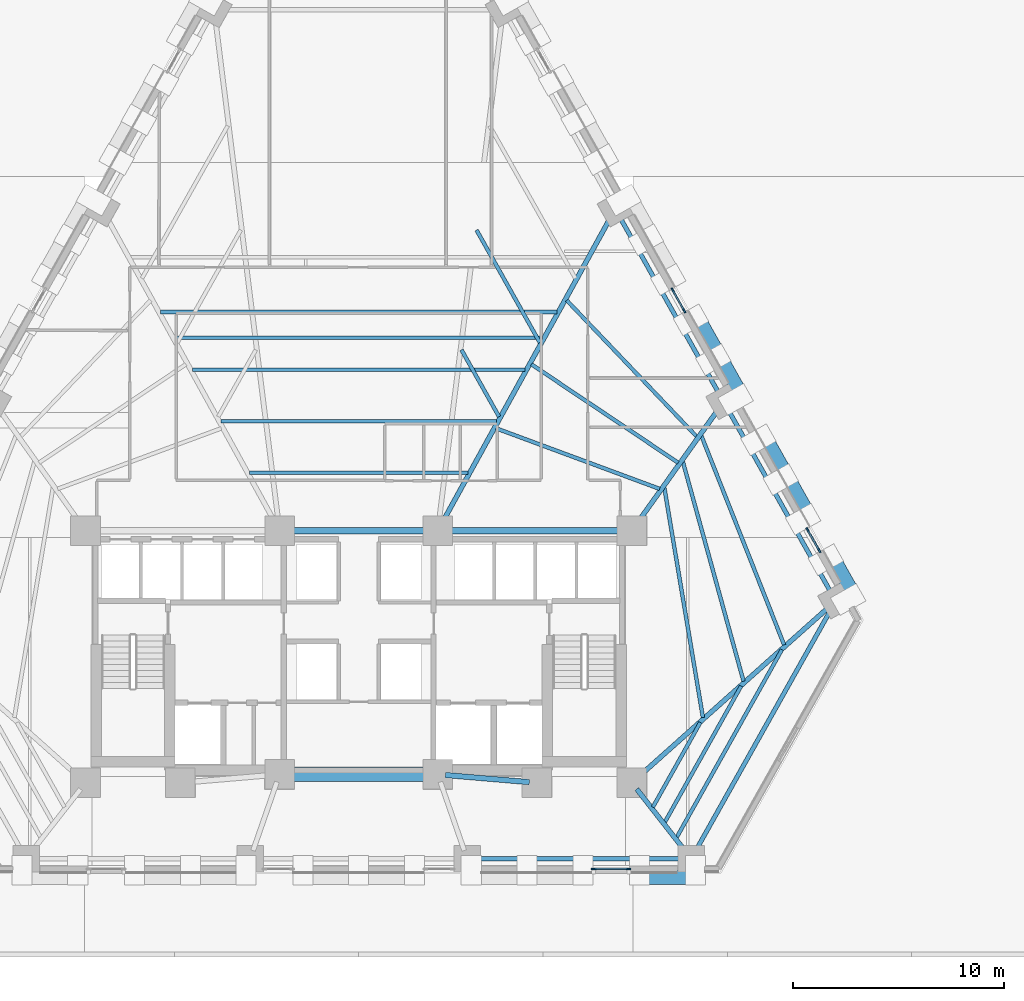
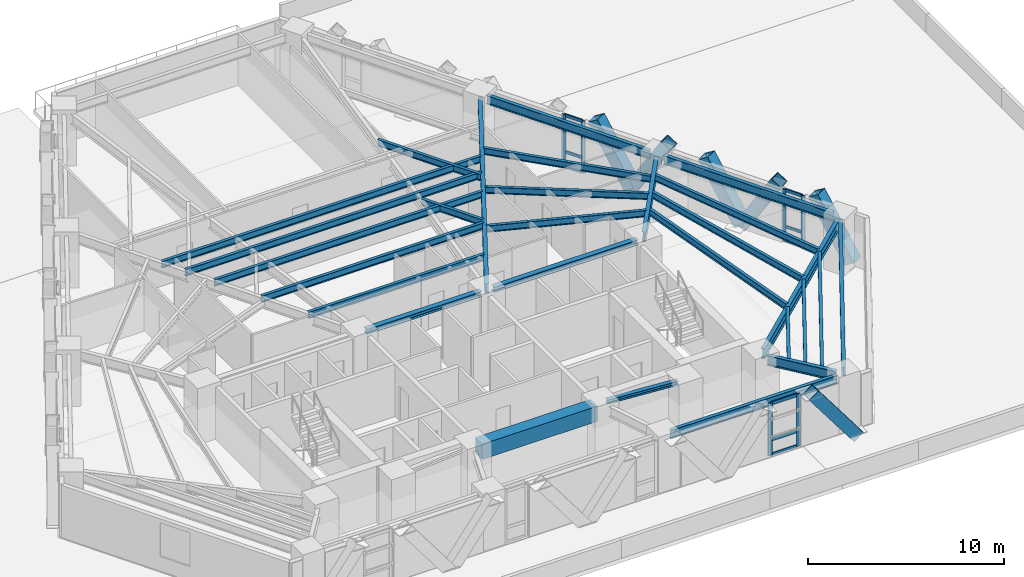
# One storey, part 3 of 14: 28 beams, 21 members, 3 elements without a shape of their own.
"""IFC4 building model written with IfcOpenShell, lengths in metres."""

from ifc_helpers import new_model, si_unit, direction, frame, origin, origin_2d, place, context, subcontext, project, spatial, rectangle, hollow_rectangle, i_section, extrude, material, material_profile, profile_set, type_object, element, aggregate, save


model = new_model("IFC4")

# Units and contexts
model_context = context("Model", 3, precision=1e-05, world=origin(), true_north=direction((0.0, 1.0)))
body_context = subcontext(model_context, "Body", "Model", "MODEL_VIEW")
ifc_project = project(units=[si_unit("LENGTHUNIT", "METRE"), si_unit("AREAUNIT", "SQUARE_METRE"), si_unit("VOLUMEUNIT", "CUBIC_METRE"), si_unit("PLANEANGLEUNIT", "RADIAN"), si_unit("MASSUNIT", "GRAM", prefix="KILO")], contexts=[model_context])

# Site, building, storey
site_placement = place(None, origin())
site = spatial("IfcSite", under=ifc_project, at=site_placement, CompositionType="ELEMENT")
building_placement = place(site_placement, origin())
building = spatial("IfcBuilding", under=site, at=building_placement, Name="Quenlor Broadcast Tower", CompositionType="ELEMENT")
storey_placement = place(building_placement, frame((0.0, 0.0, 27.60009765625)))
storey = spatial("IfcBuildingStorey", under=building, at=storey_placement, Name="L06", CompositionType="ELEMENT", Elevation=27.60009765625)

# Curtain wall, members
ifc_material_1 = material(Name="Architectural Terracotta and Low-E Glazing", Category="masonry")
curtain_wall_type = type_object("IfcCurtainWallType", Name="Unitised Terracotta Curtain Wall System Z1", PredefinedType="NOTDEFINED", material=ifc_material_1)
curtain_wall_1_placement = place(storey_placement, origin())
curtain_wall_1 = element("IfcCurtainWall", 1, at=curtain_wall_1_placement, inside=storey, type_object=curtain_wall_type, Name="L06 Curtain Wall CW1 (L06-SA-G1)", PredefinedType="NOTDEFINED")
ifc_material_2 = material(Name="Aluminium 6063-T6", Category="aluminium")
ifc_material_profile_1 = material_profile(ifc_material_2, rectangle(XDim=0.080078125, YDim=0.219970703125, at=origin_2d()))
ifc_profile_set_1 = profile_set([ifc_material_profile_1], Name="Aluminium 6063-T6 MULL80x220")
member_type_1 = type_object("IfcMemberType", Name="CW1 Aluminium Mullion MULL_CW1", PredefinedType="MULLION", material=ifc_profile_set_1)
member_1_placement = place(storey_placement, frame((12.794921875, -20.840087890625, 0.0), z_axis=(0.0, 0.0, 1.0), x_axis=(0.0, -1.0, 0.0)))
member_1 = element("IfcMember", 2, at=member_1_placement, type_object=member_type_1, Name="CW1 mullion 1", PredefinedType="MULLION", context=body_context, shape_type="SweptSolid", body=[
    extrude(rectangle(XDim=0.080078125, YDim=0.219970703125, at=origin_2d()), origin(), (0.0, 0.0, 1.0), 3.25),
])
member_2_placement = place(storey_placement, frame((11.146484375, -20.840087890625, 0.0), z_axis=(0.0, 0.0, 1.0), x_axis=(0.0, -1.0, 0.0)))
member_2 = element("IfcMember", 3, at=member_2_placement, type_object=member_type_1, Name="CW1 mullion 2", PredefinedType="MULLION", context=body_context, shape_type="SweptSolid", body=[
    extrude(rectangle(XDim=0.080078125, YDim=0.219970703125, at=origin_2d()), origin(), (0.0, 0.0, 1.0), 3.25),
])

curtain_wall_2_placement = place(storey_placement, origin())
curtain_wall_2 = element("IfcCurtainWall", 4, at=curtain_wall_2_placement, inside=storey, type_object=curtain_wall_type, Name="L06 Curtain Wall CW1 (L06-NEC-G1)", PredefinedType="NOTDEFINED")
member_3_placement = place(storey_placement, frame((21.277099609375, -4.75244140625, 0.0), z_axis=(0.0, 0.0, 1.0), x_axis=(0.871566703483, 0.490276943553, 0.0)))
member_3 = element("IfcMember", 5, at=member_3_placement, type_object=member_type_1, Name="CW1 mullion 1", PredefinedType="MULLION", context=body_context, shape_type="SweptSolid", body=[
    extrude(rectangle(XDim=0.080078125, YDim=0.219970703125, at=origin_2d()), origin(), (0.0, 0.0, 1.0), 3.25),
])
member_4_placement = place(storey_placement, frame((21.830810546875, -5.73681640625, 0.0), z_axis=(0.0, 0.0, 1.0), x_axis=(0.871566703483, 0.490276943553, 0.0)))
member_4 = element("IfcMember", 6, at=member_4_placement, type_object=member_type_1, Name="CW1 mullion 2", PredefinedType="MULLION", context=body_context, shape_type="SweptSolid", body=[
    extrude(rectangle(XDim=0.080078125, YDim=0.219970703125, at=origin_2d()), origin(), (0.0, 0.0, 1.0), 3.25),
])

curtain_wall_3_placement = place(storey_placement, origin())
curtain_wall_3 = element("IfcCurtainWall", 7, at=curtain_wall_3_placement, inside=storey, type_object=curtain_wall_type, Name="L06 Curtain Wall CW1 (L06-NE-G1)", PredefinedType="NOTDEFINED")
member_5_placement = place(storey_placement, frame((14.8837890625, 6.61376953125, 0.0), z_axis=(0.0, 0.0, 1.0), x_axis=(0.871566703483, 0.490276943553, 0.0)))
member_5 = element("IfcMember", 8, at=member_5_placement, type_object=member_type_1, Name="CW1 mullion 1", PredefinedType="MULLION", context=body_context, shape_type="SweptSolid", body=[
    extrude(rectangle(XDim=0.080078125, YDim=0.219970703125, at=origin_2d()), origin(), (0.0, 0.0, 1.0), 3.25),
])
member_6_placement = place(storey_placement, frame((15.4375, 5.62939453125, 0.0), z_axis=(0.0, 0.0, 1.0), x_axis=(0.871566703483, 0.490276943553, 0.0)))
member_6 = element("IfcMember", 9, at=member_6_placement, type_object=member_type_1, Name="CW1 mullion 2", PredefinedType="MULLION", context=body_context, shape_type="SweptSolid", body=[
    extrude(rectangle(XDim=0.080078125, YDim=0.219970703125, at=origin_2d()), origin(), (0.0, 0.0, 1.0), 3.25),
])

# Member
ifc_material_3 = material(Name="Aluminium 6063-T6", Category="aluminium")
ifc_material_profile_2 = material_profile(ifc_material_3, rectangle(XDim=0.080078125, YDim=0.179931640625, at=origin_2d()))
ifc_profile_set_2 = profile_set([ifc_material_profile_2], Name="Aluminium 6063-T6 TRAN80x180")
member_type_2 = type_object("IfcMemberType", Name="CW1 Aluminium Transom TRAN_CW1", PredefinedType="USERDEFINED", material=ifc_profile_set_2)
member_7_placement = place(storey_placement, frame((12.7548828125, -20.840087890625, 0.039794921875), z_axis=(-1.0, 0.0, 0.0), x_axis=(0.0, -1.0, 0.0)))
member_7 = element("IfcMember", 10, at=member_7_placement, type_object=member_type_2, Name="CW1 transom 1.1", ObjectType="TRANSOM", PredefinedType="USERDEFINED", context=body_context, shape_type="SweptSolid", body=[
    extrude(rectangle(XDim=0.080078125, YDim=0.179931640625, at=origin_2d()), origin(), (0.0, 0.0, 1.0), 1.568359375),
])

member_8_placement = place(storey_placement, frame((12.7548828125, -20.840087890625, 0.949951171875), z_axis=(-1.0, 0.0, 0.0), x_axis=(0.0, -1.0, 0.0)))
member_8 = element("IfcMember", 11, at=member_8_placement, type_object=member_type_2, Name="CW1 transom 1.2", ObjectType="TRANSOM", PredefinedType="USERDEFINED", context=body_context, shape_type="SweptSolid", body=[
    extrude(rectangle(XDim=0.080078125, YDim=0.179931640625, at=origin_2d()), origin(), (0.0, 0.0, 1.0), 1.568359375),
])

member_9_placement = place(storey_placement, frame((12.7548828125, -20.840087890625, 3.2099609375), z_axis=(-1.0, 0.0, 0.0), x_axis=(0.0, -1.0, 0.0)))
member_9 = element("IfcMember", 12, at=member_9_placement, type_object=member_type_2, Name="CW1 transom 1.3", ObjectType="TRANSOM", PredefinedType="USERDEFINED", context=body_context, shape_type="SweptSolid", body=[
    extrude(rectangle(XDim=0.080078125, YDim=0.179931640625, at=origin_2d()), origin(), (0.0, 0.0, 1.0), 1.568359375),
])

aggregate(curtain_wall_1, [member_1, member_2, member_7, member_8, member_9])

member_10_placement = place(storey_placement, frame((21.296875, -4.787353515625, 0.039794921875), z_axis=(0.490239146026, -0.87158796441, 0.0), x_axis=(0.87158796441, 0.490239146026, 0.0)))
member_10 = element("IfcMember", 13, at=member_10_placement, type_object=member_type_2, Name="CW1 transom 1.1", ObjectType="TRANSOM", PredefinedType="USERDEFINED", context=body_context, shape_type="SweptSolid", body=[
    extrude(rectangle(XDim=0.080078125, YDim=0.179931640625, at=origin_2d()), origin(), (0.0, 0.0, 1.0), 1.04931640625),
])

member_11_placement = place(storey_placement, frame((21.296875, -4.787353515625, 0.949951171875), z_axis=(0.490239146026, -0.87158796441, 0.0), x_axis=(0.87158796441, 0.490239146026, 0.0)))
member_11 = element("IfcMember", 14, at=member_11_placement, type_object=member_type_2, Name="CW1 transom 1.2", ObjectType="TRANSOM", PredefinedType="USERDEFINED", context=body_context, shape_type="SweptSolid", body=[
    extrude(rectangle(XDim=0.080078125, YDim=0.179931640625, at=origin_2d()), origin(), (0.0, 0.0, 1.0), 1.04931640625),
])

member_12_placement = place(storey_placement, frame((21.296875, -4.787353515625, 3.2099609375), z_axis=(0.490239146026, -0.87158796441, 0.0), x_axis=(0.87158796441, 0.490239146026, 0.0)))
member_12 = element("IfcMember", 15, at=member_12_placement, type_object=member_type_2, Name="CW1 transom 1.3", ObjectType="TRANSOM", PredefinedType="USERDEFINED", context=body_context, shape_type="SweptSolid", body=[
    extrude(rectangle(XDim=0.080078125, YDim=0.179931640625, at=origin_2d()), origin(), (0.0, 0.0, 1.0), 1.04931640625),
])

aggregate(curtain_wall_2, [member_3, member_4, member_10, member_11, member_12])

member_13_placement = place(storey_placement, frame((14.9033203125, 6.578857421875, 0.039794921875), z_axis=(0.490239146026, -0.87158796441, 0.0), x_axis=(0.87158796441, 0.490239146026, 0.0)))
member_13 = element("IfcMember", 16, at=member_13_placement, type_object=member_type_2, Name="CW1 transom 1.1", ObjectType="TRANSOM", PredefinedType="USERDEFINED", context=body_context, shape_type="SweptSolid", body=[
    extrude(rectangle(XDim=0.080078125, YDim=0.179931640625, at=origin_2d()), origin(), (0.0, 0.0, 1.0), 1.04931640625),
])

member_14_placement = place(storey_placement, frame((14.9033203125, 6.578857421875, 0.949951171875), z_axis=(0.490239146026, -0.87158796441, 0.0), x_axis=(0.87158796441, 0.490239146026, 0.0)))
member_14 = element("IfcMember", 17, at=member_14_placement, type_object=member_type_2, Name="CW1 transom 1.2", ObjectType="TRANSOM", PredefinedType="USERDEFINED", context=body_context, shape_type="SweptSolid", body=[
    extrude(rectangle(XDim=0.080078125, YDim=0.179931640625, at=origin_2d()), origin(), (0.0, 0.0, 1.0), 1.04931640625),
])

member_15_placement = place(storey_placement, frame((14.9033203125, 6.578857421875, 3.2099609375), z_axis=(0.490239146026, -0.87158796441, 0.0), x_axis=(0.87158796441, 0.490239146026, 0.0)))
member_15 = element("IfcMember", 18, at=member_15_placement, type_object=member_type_2, Name="CW1 transom 1.3", ObjectType="TRANSOM", PredefinedType="USERDEFINED", context=body_context, shape_type="SweptSolid", body=[
    extrude(rectangle(XDim=0.080078125, YDim=0.179931640625, at=origin_2d()), origin(), (0.0, 0.0, 1.0), 1.04931640625),
])

aggregate(curtain_wall_3, [member_5, member_6, member_13, member_14, member_15])

# Beams
ifc_material_4 = material(Name="Concrete C50/60", Category="concrete")
ifc_material_profile_3 = material_profile(ifc_material_4, rectangle(XDim=0.699951171875, YDim=0.949951171875, at=origin_2d()))
ifc_profile_set_3 = profile_set([ifc_material_profile_3], Name="Concrete C50/60 RCB700x950")
beam_type_1 = type_object("IfcBeamType", Name="Core Coupling Beam Concrete C50/60 700x950", PredefinedType="BEAM", material=ifc_profile_set_3)
beam_1_placement = place(storey_placement, frame((-3.389892578125, -16.35009765625, 2.77490234375), z_axis=(1.0, 0.0, 0.0), x_axis=(0.0, 1.0, 0.0)))
element("IfcBeam", 19, at=beam_1_placement, inside=storey, type_object=beam_type_1, Name="L06 Core Coupling Beam 6", PredefinedType="BEAM", context=body_context, shape_type="SweptSolid", body=[
    extrude(rectangle(XDim=0.699951171875, YDim=0.949951171875, at=origin_2d()), origin(), (0.0, 0.0, 1.0), 6.77978515625),
])
ifc_material_5 = material(Name="Steel S355", Category="steel")
ifc_material_profile_4 = material_profile(ifc_material_5, i_section(OverallWidth=0.304931640625, OverallDepth=0.30810546875, WebThickness=0.010009765625, FlangeThickness=0.015380859375, FilletRadius=0.0166015625, at=origin_2d()))
ifc_profile_set_4 = profile_set([ifc_material_profile_4], Name="Steel S355 310UC96.8")
beam_type_2 = type_object("IfcBeamType", Name="Core Header Beam Steel S355 310UC96.8", PredefinedType="BEAM", material=ifc_profile_set_4)
beam_2_placement = place(storey_placement, frame((-3.389892578125, -4.800048828125, 3.095947265625), z_axis=(1.0, 0.0, 0.0), x_axis=(0.0, 1.0, 0.0)))
element("IfcBeam", 20, at=beam_2_placement, inside=storey, type_object=beam_type_2, Name="L06 Core Header Beam 2", PredefinedType="BEAM", context=body_context, shape_type="SweptSolid", body=[
    extrude(i_section(OverallWidth=0.304931640625, OverallDepth=0.30810546875, WebThickness=0.010009765625, FlangeThickness=0.015380859375, FilletRadius=0.0166015625, at=origin_2d()), origin(), (0.0, 0.0, 1.0), 6.77978515625),
])
ifc_material_6 = material(Name="Steel S355", Category="steel")
ifc_material_profile_5 = material_profile(ifc_material_6, i_section(OverallWidth=0.25390625, OverallDepth=0.25390625, WebThickness=0.008544921875, FlangeThickness=0.01416015625, FilletRadius=0.013916015625, at=origin_2d()))
ifc_profile_set_5 = profile_set([ifc_material_profile_5], Name="Steel S355 250UC72.9")
beam_type_3 = type_object("IfcBeamType", Name="Core Opening Lintel Beam Steel S355 250UC72.9", PredefinedType="LINTEL", material=ifc_profile_set_5)
beam_3_placement = place(storey_placement, frame((4.108642578125, -16.380615234375, 3.123046875), z_axis=(0.996399763903, -0.084779186679, 0.0), x_axis=(0.084779186679, 0.996399763903, 0.0)))
element("IfcBeam", 21, at=beam_3_placement, inside=storey, type_object=beam_type_3, Name="L06 Core Opening Lintel Beam 5", PredefinedType="LINTEL", context=body_context, shape_type="SweptSolid", body=[
    extrude(i_section(OverallWidth=0.25390625, OverallDepth=0.25390625, WebThickness=0.008544921875, FlangeThickness=0.01416015625, FilletRadius=0.013916015625, at=origin_2d()), origin(), (0.0, 0.0, 1.0), 3.9970703125),
])
ifc_material_7 = material(Name="Steel S355", Category="steel")
ifc_material_profile_6 = material_profile(ifc_material_7, i_section(OverallWidth=0.306884765625, OverallDepth=0.314697265625, WebThickness=0.011962890625, FlangeThickness=0.018798828125, FilletRadius=0.0166015625, at=origin_2d()))
ifc_profile_set_6 = profile_set([ifc_material_profile_6], Name="Steel S355 310UC118")
beam_type_4 = type_object("IfcBeamType", Name="Core Tie Beam Steel S355 310UC118", PredefinedType="BEAM", material=ifc_profile_set_6)
beam_4_placement = place(storey_placement, frame((4.110107421875, -4.800048828125, 3.092529296875), z_axis=(1.0, 0.0, 0.0), x_axis=(0.0, 1.0, 0.0)))
element("IfcBeam", 22, at=beam_4_placement, inside=storey, type_object=beam_type_4, Name="L06 Core Tie Beam 3", PredefinedType="BEAM", context=body_context, shape_type="SweptSolid", body=[
    extrude(i_section(OverallWidth=0.306884765625, OverallDepth=0.314697265625, WebThickness=0.011962890625, FlangeThickness=0.018798828125, FilletRadius=0.0166015625, at=origin_2d()), origin(), (0.0, 0.0, 1.0), 8.47998046875),
])

# Members
ifc_material_8 = material(Name="Steel S355", Category="steel")
ifc_material_profile_7 = material_profile(ifc_material_8, hollow_rectangle(XDim=0.679931640625, YDim=0.679931640625, WallThickness=0.034912109375, at=origin_2d()))
ifc_profile_set_7 = profile_set([ifc_material_profile_7], Name="Steel S355 RHS680x680x35")
member_type_3 = type_object("IfcMemberType", Name="Perimeter Diagonal Lattice Brace Z1 Steel S355 RHS680x35", PredefinedType="BRACE", material=ifc_profile_set_7)
member_16_placement = place(storey_placement, frame((15.945068359375, -21.235107421875, -0.1201171875), z_axis=(-0.600463982679, 0.0, 0.799651802665), x_axis=(0.0, -1.0, 0.0)))
element("IfcMember", 23, at=member_16_placement, inside=storey, type_object=member_type_3, Name="L06 Perimeter Diamond Lattice S-C1S", PredefinedType="BRACE", context=body_context, shape_type="SweptSolid", body=[
    extrude(hollow_rectangle(XDim=0.679931640625, YDim=0.679931640625, WallThickness=0.034912109375, at=origin_2d()), origin(), (0.0, 0.0, 1.0), 4.376953125),
])
for number, where, z_axis, x_axis, name in (
    (24, (17.0966796875, 3.485107421875, -0.1201171875), (-0.256375341489, 0.45579159737, 0.852364771705), (-0.871581609758, -0.490250443683, 0.0), "L06 Perimeter Diamond Lattice NE-C3B"),
    (25, (17.109619140625, 3.46240234375, -0.1201171875), (0.256375341489, -0.45579159737, 0.852364771705), (0.871581609758, 0.490250443683, 0.0), "L06 Perimeter Diamond Lattice NE-C4S"),
    (26, (20.29345703125, -2.197998046875, -0.1201171875), (-0.256375341489, 0.45579159737, 0.852364771705), (-0.871581609758, -0.490250443683, 0.0), "L06 Perimeter Diamond Lattice NE-C4B"),
    (27, (20.306396484375, -2.220947265625, -0.1201171875), (0.256375341489, -0.45579159737, 0.852364771705), (0.871581609758, 0.490250443683, 0.0), "L06 Perimeter Diamond Lattice NE-C5S"),
):
    element("IfcMember", number, at=place(storey_placement, frame(where, z_axis=z_axis, x_axis=x_axis)), inside=storey, type_object=member_type_3, Name=name, PredefinedType="BRACE", context=body_context, shape_type="SweptSolid", body=[
        extrude(hollow_rectangle(XDim=0.679931640625, YDim=0.679931640625, WallThickness=0.034912109375, at=origin_2d()), origin(), (0.0, 0.0, 1.0), 4.106201171875),
    ])
member_17_placement = place(storey_placement, frame((23.490234375, -7.88134765625, -0.1201171875), z_axis=(-0.256368393635, 0.455838699906, 0.852341672343), x_axis=(-0.871608931644, -0.490201866865, 0.0)))
element("IfcMember", 28, at=member_17_placement, inside=storey, type_object=member_type_3, Name="L06 Perimeter Diamond Lattice NE-C5B", PredefinedType="BRACE", context=body_context, shape_type="SweptSolid", body=[
    extrude(hollow_rectangle(XDim=0.679931640625, YDim=0.679931640625, WallThickness=0.034912109375, at=origin_2d()), origin(), (0.0, 0.0, 1.0), 4.1064453125),
])

# Beams
ifc_material_9 = material(Name="Steel S355", Category="steel")
ifc_material_profile_8 = material_profile(ifc_material_9, i_section(OverallWidth=0.208984375, OverallDepth=0.532958984375, WebThickness=0.01025390625, FlangeThickness=0.015625, FilletRadius=0.013916015625, at=origin_2d()))
ifc_profile_set_8 = profile_set([ifc_material_profile_8], Name="Steel S355 530UB92.4")
beam_type_5 = type_object("IfcBeamType", Name="Perimeter Spandrel Beam Z1 Steel S355 530UB92.4", PredefinedType="SPANDREL", material=ifc_profile_set_8)
beam_5_placement = place(storey_placement, frame((5.55078125, -20.35009765625, 2.9833984375), z_axis=(1.0, 0.0, 0.0), x_axis=(0.0, 1.0, 0.0)))
element("IfcBeam", 29, at=beam_5_placement, inside=storey, type_object=beam_type_5, Name="L06 Spandrel Beam S3-S4", PredefinedType="SPANDREL", context=body_context, shape_type="SweptSolid", body=[
    extrude(i_section(OverallWidth=0.208984375, OverallDepth=0.532958984375, WebThickness=0.01025390625, FlangeThickness=0.015625, FilletRadius=0.013916015625, at=origin_2d()), origin(), (0.0, 0.0, 1.0), 9.80419921875),
])
beam_6_placement = place(storey_placement, frame((15.965576171875, -19.992431640625, 2.9833984375), z_axis=(0.489090917871, 0.87223280955, 0.0), x_axis=(-0.87223280955, 0.489090917871, 0.0)))
element("IfcBeam", 30, at=beam_6_placement, inside=storey, type_object=beam_type_5, Name="L06 Spandrel Beam S4-NE1", PredefinedType="SPANDREL", context=body_context, shape_type="SweptSolid", body=[
    extrude(i_section(OverallWidth=0.208984375, OverallDepth=0.532958984375, WebThickness=0.01025390625, FlangeThickness=0.015625, FilletRadius=0.013916015625, at=origin_2d()), origin(), (0.0, 0.0, 1.0), 13.187744140625),
])
beam_7_placement = place(storey_placement, frame((22.4150390625, -7.77490234375, 2.9833984375), z_axis=(-0.490257767622, 0.871577490121, 0.0), x_axis=(-0.871577490121, -0.490257767622, 0.0)))
element("IfcBeam", 31, at=beam_7_placement, inside=storey, type_object=beam_type_5, Name="L06 Spandrel Beam NE1-NE2", PredefinedType="SPANDREL", context=body_context, shape_type="SweptSolid", body=[
    extrude(i_section(OverallWidth=0.208984375, OverallDepth=0.532958984375, WebThickness=0.01025390625, FlangeThickness=0.015625, FilletRadius=0.013916015625, at=origin_2d()), origin(), (0.0, 0.0, 1.0), 10.015380859375),
])
beam_8_placement = place(storey_placement, frame((17.102783203125, 1.6689453125, 2.9833984375), z_axis=(-0.490257642051, 0.871577560755, 0.0), x_axis=(-0.871577560755, -0.490257642051, 0.0)))
element("IfcBeam", 32, at=beam_8_placement, inside=storey, type_object=beam_type_5, Name="L06 Spandrel Beam NE2-NE3", PredefinedType="SPANDREL", context=body_context, shape_type="SweptSolid", body=[
    extrude(i_section(OverallWidth=0.208984375, OverallDepth=0.532958984375, WebThickness=0.01025390625, FlangeThickness=0.015625, FilletRadius=0.013916015625, at=origin_2d()), origin(), (0.0, 0.0, 1.0), 9.665771484375),
])
ifc_material_10 = material(Name="Steel S355", Category="steel")
ifc_material_profile_9 = material_profile(ifc_material_10, i_section(OverallWidth=0.177978515625, OverallDepth=0.406494140625, WebThickness=0.0078125, FlangeThickness=0.0126953125, FilletRadius=0.011474609375, at=origin_2d()))
ifc_profile_set_9 = profile_set([ifc_material_profile_9], Name="Steel S355 410UB59.7")
beam_type_6 = type_object("IfcBeamType", Name="Tower Composite Joist Z1 Steel S355 410UB59.7", PredefinedType="JOIST", material=ifc_profile_set_9)
beam_9_placement = place(storey_placement, frame((-5.184326171875, -2.0546875, 3.046630859375), z_axis=(1.0, 0.0, 0.0), x_axis=(0.0, 1.0, 0.0)))
element("IfcBeam", 33, at=beam_9_placement, inside=storey, type_object=beam_type_6, Name="L06 Secondary Composite Joist 1", PredefinedType="JOIST", context=body_context, shape_type="SweptSolid", body=[
    extrude(i_section(OverallWidth=0.177978515625, OverallDepth=0.406494140625, WebThickness=0.0078125, FlangeThickness=0.0126953125, FilletRadius=0.011474609375, at=origin_2d()), origin(), (0.0, 0.0, 1.0), 10.36865234375),
])
beam_10_placement = place(storey_placement, frame((-8.718017578125, 4.3505859375, 3.046630859375), z_axis=(1.0, 0.0, 0.0), x_axis=(0.0, 1.0, 0.0)))
element("IfcBeam", 34, at=beam_10_placement, inside=storey, type_object=beam_type_6, Name="L06 Secondary Composite Joist 2", PredefinedType="JOIST", context=body_context, shape_type="SweptSolid", body=[
    extrude(i_section(OverallWidth=0.177978515625, OverallDepth=0.406494140625, WebThickness=0.0078125, FlangeThickness=0.0126953125, FilletRadius=0.011474609375, at=origin_2d()), origin(), (0.0, 0.0, 1.0), 17.43603515625),
])
beam_11_placement = place(storey_placement, frame((-6.530517578125, 0.38525390625, 3.046630859375), z_axis=(1.0, 0.0, 0.0), x_axis=(0.0, 1.0, 0.0)))
element("IfcBeam", 35, at=beam_11_placement, inside=storey, type_object=beam_type_6, Name="L06 Secondary Composite Joist 3", PredefinedType="JOIST", context=body_context, shape_type="SweptSolid", body=[
    extrude(i_section(OverallWidth=0.177978515625, OverallDepth=0.406494140625, WebThickness=0.0078125, FlangeThickness=0.0126953125, FilletRadius=0.011474609375, at=origin_2d()), origin(), (0.0, 0.0, 1.0), 13.06103515625),
])
beam_12_placement = place(storey_placement, frame((-7.87646484375, 2.825439453125, 3.046630859375), z_axis=(1.0, 0.0, 0.0), x_axis=(0.0, 1.0, 0.0)))
element("IfcBeam", 36, at=beam_12_placement, inside=storey, type_object=beam_type_6, Name="L06 Secondary Composite Joist 4", PredefinedType="JOIST", context=body_context, shape_type="SweptSolid", body=[
    extrude(i_section(OverallWidth=0.177978515625, OverallDepth=0.406494140625, WebThickness=0.0078125, FlangeThickness=0.0126953125, FilletRadius=0.011474609375, at=origin_2d()), origin(), (0.0, 0.0, 1.0), 15.7529296875),
])
beam_13_placement = place(storey_placement, frame((-9.390869140625, 5.570556640625, 3.046630859375), z_axis=(1.0, 0.0, 0.0), x_axis=(0.0, 1.0, 0.0)))
element("IfcBeam", 37, at=beam_13_placement, inside=storey, type_object=beam_type_6, Name="L06 Secondary Composite Joist 5", PredefinedType="JOIST", context=body_context, shape_type="SweptSolid", body=[
    extrude(i_section(OverallWidth=0.177978515625, OverallDepth=0.406494140625, WebThickness=0.0078125, FlangeThickness=0.0126953125, FilletRadius=0.011474609375, at=origin_2d()), origin(), (0.0, 0.0, 1.0), 18.78173828125),
])
beam_14_placement = place(storey_placement, frame((14.268310546875, -2.81640625, 3.046630859375), z_axis=(-0.937824633945, 0.347109429383, 0.0), x_axis=(-0.347109429383, -0.937824633945, 0.0)))
element("IfcBeam", 38, at=beam_14_placement, inside=storey, type_object=beam_type_6, Name="L06 Secondary Composite Joist 10", PredefinedType="JOIST", context=body_context, shape_type="SweptSolid", body=[
    extrude(i_section(OverallWidth=0.177978515625, OverallDepth=0.406494140625, WebThickness=0.0078125, FlangeThickness=0.0126953125, FilletRadius=0.011474609375, at=origin_2d()), origin(), (0.0, 0.0, 1.0), 8.26513671875),
])
beam_15_placement = place(storey_placement, frame((15.147705078125, -1.577392578125, 3.046630859375), z_axis=(-0.830625844363, 0.556830949819, 0.0), x_axis=(-0.556830949819, -0.830625844363, 0.0)))
element("IfcBeam", 39, at=beam_15_placement, inside=storey, type_object=beam_type_6, Name="L06 Secondary Composite Joist 11", PredefinedType="JOIST", context=body_context, shape_type="SweptSolid", body=[
    extrude(i_section(OverallWidth=0.177978515625, OverallDepth=0.406494140625, WebThickness=0.0078125, FlangeThickness=0.0126953125, FilletRadius=0.011474609375, at=origin_2d()), origin(), (0.0, 0.0, 1.0), 8.374755859375),
])
beam_16_placement = place(storey_placement, frame((16.029541015625, -0.341796875, 3.046630859375), z_axis=(-0.690241086162, 0.723579465556, 0.0), x_axis=(-0.723579465556, -0.690241086162, 0.0)))
element("IfcBeam", 40, at=beam_16_placement, inside=storey, type_object=beam_type_6, Name="L06 Secondary Composite Joist 12", PredefinedType="JOIST", context=body_context, shape_type="SweptSolid", body=[
    extrude(i_section(OverallWidth=0.177978515625, OverallDepth=0.406494140625, WebThickness=0.0078125, FlangeThickness=0.0126953125, FilletRadius=0.011474609375, at=origin_2d()), origin(), (0.0, 0.0, 1.0), 8.93408203125),
])
beam_17_placement = place(storey_placement, frame((16.31982421875, -13.65478515625, 3.046630859375), z_axis=(-0.16559360599, 0.986194077074, 0.0), x_axis=(-0.986194077074, -0.16559360599, 0.0)))
element("IfcBeam", 41, at=beam_17_placement, inside=storey, type_object=beam_type_6, Name="L06 Secondary Composite Joist 16", PredefinedType="JOIST", context=body_context, shape_type="SweptSolid", body=[
    extrude(i_section(OverallWidth=0.177978515625, OverallDepth=0.406494140625, WebThickness=0.0078125, FlangeThickness=0.0126953125, FilletRadius=0.011474609375, at=origin_2d()), origin(), (0.0, 0.0, 1.0), 11.06787109375),
])
beam_18_placement = place(storey_placement, frame((18.2451171875, -11.93310546875, 3.046630859375), z_axis=(-0.266390054368, 0.963865311615, 0.0), x_axis=(-0.963865311615, -0.266390054368, 0.0)))
element("IfcBeam", 42, at=beam_18_placement, inside=storey, type_object=beam_type_6, Name="L06 Secondary Composite Joist 17", PredefinedType="JOIST", context=body_context, shape_type="SweptSolid", body=[
    extrude(i_section(OverallWidth=0.177978515625, OverallDepth=0.406494140625, WebThickness=0.0078125, FlangeThickness=0.0126953125, FilletRadius=0.011474609375, at=origin_2d()), origin(), (0.0, 0.0, 1.0), 10.80810546875),
])
beam_19_placement = place(storey_placement, frame((20.170166015625, -10.212158203125, 3.046630859375), z_axis=(-0.367884833597, 0.929871361646, 0.0), x_axis=(-0.929871361646, -0.367884833597, 0.0)))
element("IfcBeam", 43, at=beam_19_placement, inside=storey, type_object=beam_type_6, Name="L06 Secondary Composite Joist 18", PredefinedType="JOIST", context=body_context, shape_type="SweptSolid", body=[
    extrude(i_section(OverallWidth=0.177978515625, OverallDepth=0.406494140625, WebThickness=0.0078125, FlangeThickness=0.0126953125, FilletRadius=0.011474609375, at=origin_2d()), origin(), (0.0, 0.0, 1.0), 10.669921875),
])
beam_20_placement = place(storey_placement, frame((13.9462890625, -17.904296875, 3.046630859375), z_axis=(0.489062021968, 0.872249011848, 0.0), x_axis=(-0.872249011848, 0.489062021968, 0.0)))
element("IfcBeam", 44, at=beam_20_placement, inside=storey, type_object=beam_type_6, Name="L06 Secondary Composite Joist 22", PredefinedType="JOIST", context=body_context, shape_type="SweptSolid", body=[
    extrude(i_section(OverallWidth=0.177978515625, OverallDepth=0.406494140625, WebThickness=0.0078125, FlangeThickness=0.0126953125, FilletRadius=0.011474609375, at=origin_2d()), origin(), (0.0, 0.0, 1.0), 4.6025390625),
])
beam_21_placement = place(storey_placement, frame((14.50927734375, -18.624267578125, 3.046630859375), z_axis=(0.489088249322, 0.872234305892, 0.0), x_axis=(-0.872234305892, 0.489088249322, 0.0)))
element("IfcBeam", 45, at=beam_21_placement, inside=storey, type_object=beam_type_6, Name="L06 Secondary Composite Joist 23", PredefinedType="JOIST", context=body_context, shape_type="SweptSolid", body=[
    extrude(i_section(OverallWidth=0.177978515625, OverallDepth=0.406494140625, WebThickness=0.0078125, FlangeThickness=0.0126953125, FilletRadius=0.011474609375, at=origin_2d()), origin(), (0.0, 0.0, 1.0), 7.404296875),
])
beam_22_placement = place(storey_placement, frame((15.072265625, -19.34423828125, 3.046630859375), z_axis=(0.489081877778, 0.872237878579, 0.0), x_axis=(-0.872237878579, 0.489081877778, 0.0)))
element("IfcBeam", 46, at=beam_22_placement, inside=storey, type_object=beam_type_6, Name="L06 Secondary Composite Joist 24", PredefinedType="JOIST", context=body_context, shape_type="SweptSolid", body=[
    extrude(i_section(OverallWidth=0.177978515625, OverallDepth=0.406494140625, WebThickness=0.0078125, FlangeThickness=0.0126953125, FilletRadius=0.011474609375, at=origin_2d()), origin(), (0.0, 0.0, 1.0), 10.205810546875),
])
beam_23_placement = place(storey_placement, frame((4.87451171875, 3.7734375, 3.046630859375), z_axis=(0.490286766726, -0.871561177642, 0.0), x_axis=(0.871561177642, 0.490286766726, 0.0)))
element("IfcBeam", 47, at=beam_23_placement, inside=storey, type_object=beam_type_6, Name="L06 Secondary Composite Joist 28", PredefinedType="JOIST", context=body_context, shape_type="SweptSolid", body=[
    extrude(i_section(OverallWidth=0.177978515625, OverallDepth=0.406494140625, WebThickness=0.0078125, FlangeThickness=0.0126953125, FilletRadius=0.011474609375, at=origin_2d()), origin(), (0.0, 0.0, 1.0), 3.632568359375),
])
beam_24_placement = place(storey_placement, frame((5.587646484375, 9.453125, 3.046630859375), z_axis=(0.490276380443, -0.871567020246, 0.0), x_axis=(0.871567020246, 0.490276380443, 0.0)))
element("IfcBeam", 48, at=beam_24_placement, inside=storey, type_object=beam_type_6, Name="L06 Secondary Composite Joist 29", PredefinedType="JOIST", context=body_context, shape_type="SweptSolid", body=[
    extrude(i_section(OverallWidth=0.177978515625, OverallDepth=0.406494140625, WebThickness=0.0078125, FlangeThickness=0.0126953125, FilletRadius=0.011474609375, at=origin_2d()), origin(), (0.0, 0.0, 1.0), 6.12451171875),
])
ifc_material_11 = material(Name="Steel S355", Category="steel")
ifc_material_profile_10 = material_profile(ifc_material_11, i_section(OverallWidth=0.22900390625, OverallDepth=0.611572265625, WebThickness=0.011962890625, FlangeThickness=0.01953125, FilletRadius=0.013916015625, at=origin_2d()))
ifc_profile_set_10 = profile_set([ifc_material_profile_10], Name="Steel S355 610UB125")
beam_type_7 = type_object("IfcBeamType", Name="Tower Primary Floor Beam Z1 Steel S355 610UB125", PredefinedType="BEAM", material=ifc_profile_set_10)
beam_25_placement = place(storey_placement, frame((15.512451171875, -20.027099609375, 2.944091796875), z_axis=(-0.615968610193, 0.78777069713, 0.0), x_axis=(-0.78777069713, -0.615968610193, 0.0)))
element("IfcBeam", 49, at=beam_25_placement, inside=storey, type_object=beam_type_7, Name="L06 Primary Radial Beam S4", PredefinedType="BEAM", context=body_context, shape_type="SweptSolid", body=[
    extrude(i_section(OverallWidth=0.22900390625, OverallDepth=0.611572265625, WebThickness=0.011962890625, FlangeThickness=0.01953125, FilletRadius=0.013916015625, at=origin_2d()), origin(), (0.0, 0.0, 1.0), 3.780029296875),
])
beam_26_placement = place(storey_placement, frame((22.31005859375, -8.40478515625, 2.944091796875), z_axis=(-0.746413754585, -0.665482161268, 0.0), x_axis=(0.665482161268, -0.746413754585, 0.0)))
element("IfcBeam", 50, at=beam_26_placement, inside=storey, type_object=beam_type_7, Name="L06 Primary Radial Beam NE1", PredefinedType="BEAM", context=body_context, shape_type="SweptSolid", body=[
    extrude(i_section(OverallWidth=0.22900390625, OverallDepth=0.611572265625, WebThickness=0.011962890625, FlangeThickness=0.01953125, FilletRadius=0.013916015625, at=origin_2d()), origin(), (0.0, 0.0, 1.0), 12.159912109375),
])
beam_27_placement = place(storey_placement, frame((17.06591796875, 0.977783203125, 2.944091796875), z_axis=(-0.580212680853, -0.814465005373, 0.0), x_axis=(0.814465005373, -0.580212680853, 0.0)))
element("IfcBeam", 51, at=beam_27_placement, inside=storey, type_object=beam_type_7, Name="L06 Primary Radial Beam NE2", PredefinedType="BEAM", context=body_context, shape_type="SweptSolid", body=[
    extrude(i_section(OverallWidth=0.22900390625, OverallDepth=0.611572265625, WebThickness=0.011962890625, FlangeThickness=0.01953125, FilletRadius=0.013916015625, at=origin_2d()), origin(), (0.0, 0.0, 1.0), 6.7138671875),
])
beam_28_placement = place(storey_placement, frame((11.965087890625, 10.091796875, 2.944091796875), z_axis=(-0.483026493693, -0.875605736842, 0.0), x_axis=(0.875605736842, -0.483026493693, 0.0)))
element("IfcBeam", 52, at=beam_28_placement, inside=storey, type_object=beam_type_7, Name="L06 Primary Radial Beam NE3", PredefinedType="BEAM", context=body_context, shape_type="SweptSolid", body=[
    extrude(i_section(OverallWidth=0.22900390625, OverallDepth=0.611572265625, WebThickness=0.011962890625, FlangeThickness=0.01953125, FilletRadius=0.013916015625, at=origin_2d()), origin(), (0.0, 0.0, 1.0), 16.62744140625),
])

save(model, "model.ifc")
